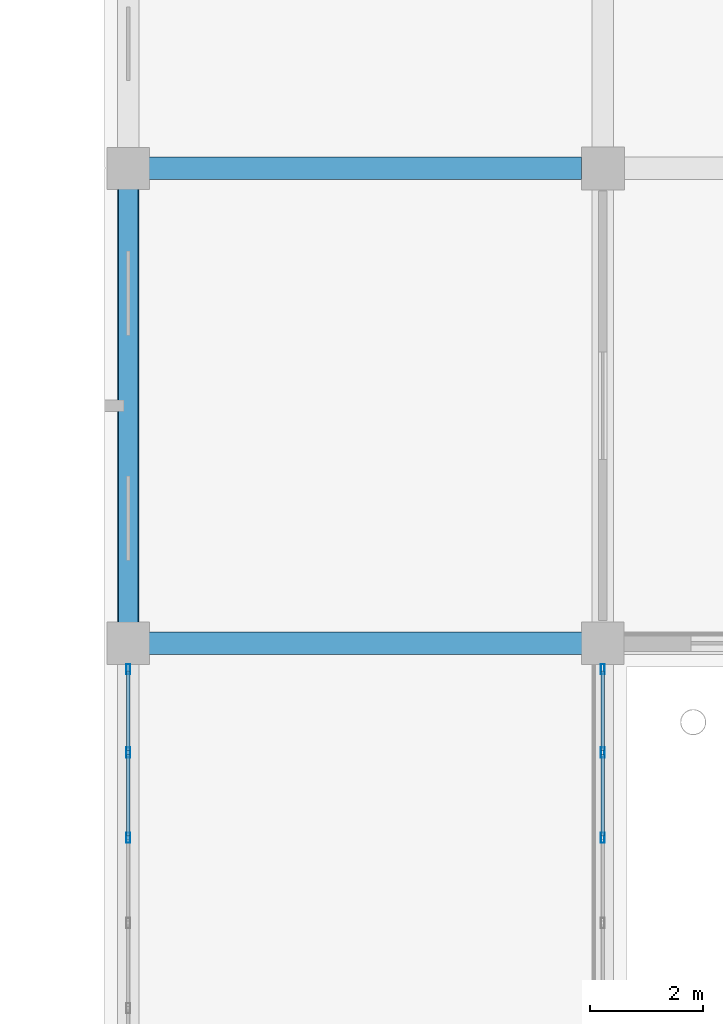
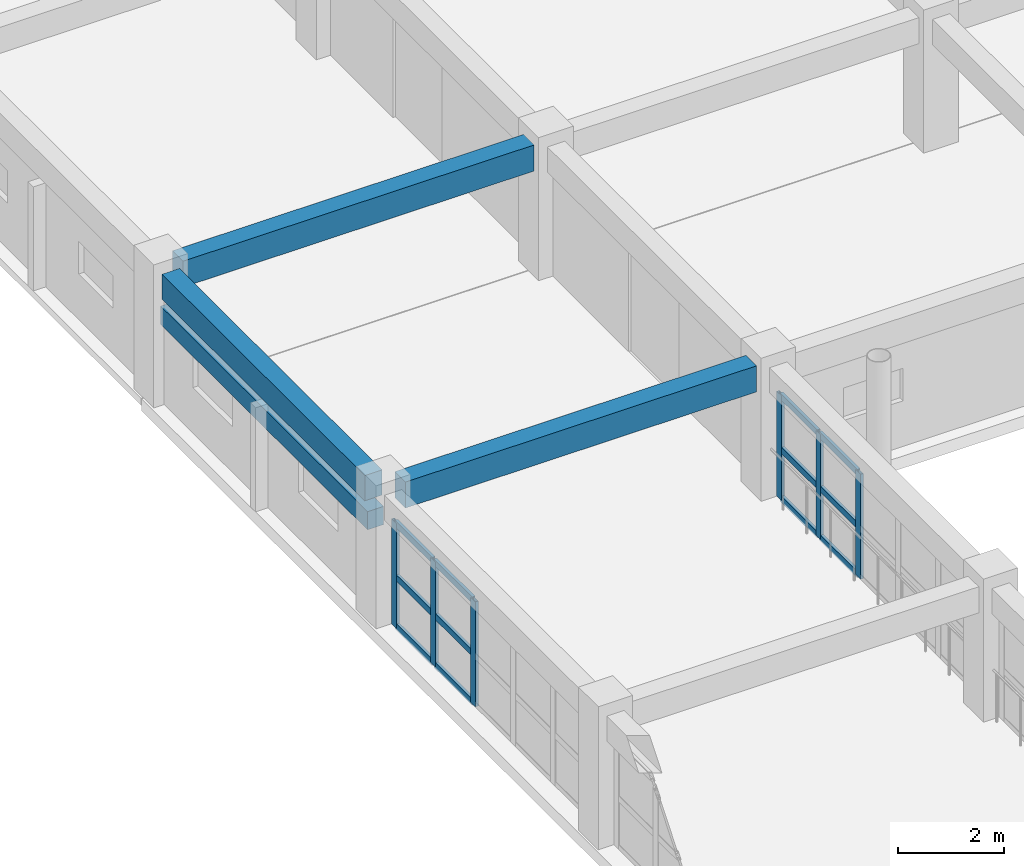
# One storey, part 141 of 200: 18 members, 4 beams, 2 elements without a shape of their own.
"""IFC4 building model written with IfcOpenShell, lengths in metres."""

from ifc_helpers import new_model, si_unit, direction, frame, origin, origin_2d, place, context, subcontext, project, spatial, rectangle, hollow_rectangle, extrude, material, layer, layer_set, material_profile, profile_set, type_object, element, aggregate, save


model = new_model("IFC4")

# Units and contexts
model_context = context("Model", 3, precision=1e-05, world=origin(), true_north=direction((0.0, 1.0)))
body_context = subcontext(model_context, "Body", "Model", "MODEL_VIEW")
ifc_project = project(units=[si_unit("LENGTHUNIT", "METRE"), si_unit("AREAUNIT", "SQUARE_METRE"), si_unit("VOLUMEUNIT", "CUBIC_METRE"), si_unit("PLANEANGLEUNIT", "RADIAN"), si_unit("MASSUNIT", "GRAM", prefix="KILO")], contexts=[model_context])

# Site, building, storey
site_placement = place(None, origin())
site = spatial("IfcSite", under=ifc_project, at=site_placement, CompositionType="ELEMENT")
building_placement = place(site_placement, origin())
building = spatial("IfcBuilding", under=site, at=building_placement, Name="Trelvath General Hospital", CompositionType="ELEMENT")
storey_placement = place(building_placement, frame((0.0, 0.0, 4.800048828125)))
storey = spatial("IfcBuildingStorey", under=building, at=storey_placement, Name="L01", CompositionType="ELEMENT", Elevation=4.800048828125)

# Beams
ifc_material_1 = material(Name="Concrete C35/45", Category="concrete")
ifc_material_profile_1 = material_profile(ifc_material_1, rectangle(XDim=0.3798828125, YDim=0.580078125, at=origin_2d()), Name="RCB380x580")
ifc_profile_set_1 = profile_set([ifc_material_profile_1], Name="Concrete C35/45")
beam_type_1 = type_object("IfcBeamType", Name="Beam RC380x580", PredefinedType="BEAM", material=ifc_profile_set_1)
beam_1_placement = place(storey_placement, frame((134.39990234375, 67.570068359375, 2.72998046875), z_axis=(0.0, 1.0, 0.0), x_axis=(-1.0, 0.0, 0.0)))
element("IfcBeam", 1, at=beam_1_placement, inside=storey, type_object=beam_type_1, Name="Grid Beam BY-116I", PredefinedType="BEAM", context=body_context, shape_type="SweptSolid", body=[
    extrude(rectangle(XDim=0.3798828125, YDim=0.580078125, at=origin_2d()), origin(), (0.0, 0.0, 1.0), 7.659912109375),
])
ifc_material_2 = material(Name="Concrete C35/45", Category="concrete")
ifc_material_profile_2 = material_profile(ifc_material_2, rectangle(XDim=0.39990234375, YDim=0.60009765625, at=origin_2d()), Name="RCB400x600")
ifc_profile_set_2 = profile_set([ifc_material_profile_2], Name="Concrete C35/45")
beam_type_2 = type_object("IfcBeamType", Name="Beam RC400x600", PredefinedType="BEAM", material=ifc_profile_set_2)
beam_2_placement = place(storey_placement, frame((134.77001953125, 67.199951171875, 2.719970703125), z_axis=(1.0, 0.0, 0.0), x_axis=(0.0, 1.0, 0.0)))
element("IfcBeam", 2, at=beam_2_placement, inside=storey, type_object=beam_type_2, Name="Grid Beam BX-116I", PredefinedType="BEAM", context=body_context, shape_type="SweptSolid", body=[
    extrude(rectangle(XDim=0.39990234375, YDim=0.60009765625, at=origin_2d()), origin(), (0.0, 0.0, 1.0), 7.659912109375),
])
beam_3_placement = place(storey_placement, frame((134.77001953125, 75.60009765625, 2.719970703125), z_axis=(1.0, 0.0, 0.0), x_axis=(0.0, 1.0, 0.0)))
element("IfcBeam", 3, at=beam_3_placement, inside=storey, type_object=beam_type_2, Name="Grid Beam BX-116J", PredefinedType="BEAM", context=body_context, shape_type="SweptSolid", body=[
    extrude(rectangle(XDim=0.39990234375, YDim=0.60009765625, at=origin_2d()), origin(), (0.0, 0.0, 1.0), 7.655029296875),
])

# Curtain wall, members
ifc_material_3 = material(Name="Anodised aluminium and low-E glass", Category="aluminium")
ifc_layer = layer(ifc_material_3, 0.179931640625)
ifc_layer_set = layer_set([ifc_layer], Name="Anodised aluminium and low-E glass")
curtain_wall_type = type_object("IfcCurtainWallType", Name="CW Facade 754 242 18", PredefinedType="USERDEFINED", material=ifc_layer_set)
curtain_wall_1_placement = place(storey_placement, origin())
curtain_wall_1 = element("IfcCurtainWall", 4, at=curtain_wall_1_placement, inside=storey, type_object=curtain_wall_type, Name="Facade Curtain Wall CW-028", ObjectType="Unitised Glazed Curtain Wall", PredefinedType="USERDEFINED")
ifc_material_4 = material(Name="Anodised aluminium", Category="aluminium")
ifc_material_profile_3 = material_profile(ifc_material_4, hollow_rectangle(XDim=0.06494140625, YDim=0.179931640625, WallThickness=0.0048828125, at=origin_2d()), Name="RHS65x180x5")
ifc_profile_set_3 = profile_set([ifc_material_profile_3], Name="Anodised aluminium")
member_type_1 = type_object("IfcMemberType", Name="CurtainMullion 65x180", PredefinedType="MULLION", material=ifc_profile_set_3)
member_1_placement = place(storey_placement, frame((134.39990234375, 63.75390625, 0.0), z_axis=(0.0, 0.0, 1.0), x_axis=(-1.0, 0.0, 0.0)))
member_1 = element("IfcMember", 5, at=member_1_placement, type_object=member_type_1, Name="CW-028 mullion 4", PredefinedType="MULLION", context=body_context, shape_type="SweptSolid", body=[
    extrude(hollow_rectangle(XDim=0.06494140625, YDim=0.179931640625, WallThickness=0.0048828125, at=origin_2d()), origin(), (0.0, 0.0, 1.0), 2.419921875),
])
member_2_placement = place(storey_placement, frame((134.39990234375, 65.261962890625, 0.0), z_axis=(0.0, 0.0, 1.0), x_axis=(-1.0, 0.0, 0.0)))
member_2 = element("IfcMember", 6, at=member_2_placement, type_object=member_type_1, Name="CW-028 mullion 5", PredefinedType="MULLION", context=body_context, shape_type="SweptSolid", body=[
    extrude(hollow_rectangle(XDim=0.06494140625, YDim=0.179931640625, WallThickness=0.0048828125, at=origin_2d()), origin(), (0.0, 0.0, 1.0), 2.419921875),
])
member_3_placement = place(storey_placement, frame((134.39990234375, 66.737548828125, 0.0), z_axis=(0.0, 0.0, 1.0), x_axis=(-1.0, 0.0, 0.0)))
member_3 = element("IfcMember", 7, at=member_3_placement, type_object=member_type_1, Name="CW-028 mullion 6", PredefinedType="MULLION", context=body_context, shape_type="SweptSolid", body=[
    extrude(hollow_rectangle(XDim=0.06494140625, YDim=0.179931640625, WallThickness=0.0048828125, at=origin_2d()), origin(), (0.0, 0.0, 1.0), 2.419921875),
])

curtain_wall_2_placement = place(storey_placement, origin())
curtain_wall_2 = element("IfcCurtainWall", 8, at=curtain_wall_2_placement, inside=storey, type_object=curtain_wall_type, Name="Facade Curtain Wall CW-029", ObjectType="Unitised Glazed Curtain Wall", PredefinedType="USERDEFINED")
member_4_placement = place(storey_placement, frame((142.800048828125, 66.737548828125, 0.0), z_axis=(0.0, 0.0, 1.0), x_axis=(1.0, 0.0, 0.0)))
member_4 = element("IfcMember", 9, at=member_4_placement, type_object=member_type_1, Name="CW-029 mullion 1", PredefinedType="MULLION", context=body_context, shape_type="SweptSolid", body=[
    extrude(hollow_rectangle(XDim=0.06494140625, YDim=0.179931640625, WallThickness=0.0048828125, at=origin_2d()), origin(), (0.0, 0.0, 1.0), 2.419921875),
])
member_5_placement = place(storey_placement, frame((142.800048828125, 65.261962890625, 0.0), z_axis=(0.0, 0.0, 1.0), x_axis=(1.0, 0.0, 0.0)))
member_5 = element("IfcMember", 10, at=member_5_placement, type_object=member_type_1, Name="CW-029 mullion 2", PredefinedType="MULLION", context=body_context, shape_type="SweptSolid", body=[
    extrude(hollow_rectangle(XDim=0.06494140625, YDim=0.179931640625, WallThickness=0.0048828125, at=origin_2d()), origin(), (0.0, 0.0, 1.0), 2.419921875),
])
member_6_placement = place(storey_placement, frame((142.800048828125, 63.75390625, 0.0), z_axis=(0.0, 0.0, 1.0), x_axis=(1.0, 0.0, 0.0)))
member_6 = element("IfcMember", 11, at=member_6_placement, type_object=member_type_1, Name="CW-029 mullion 3", PredefinedType="MULLION", context=body_context, shape_type="SweptSolid", body=[
    extrude(hollow_rectangle(XDim=0.06494140625, YDim=0.179931640625, WallThickness=0.0048828125, at=origin_2d()), origin(), (0.0, 0.0, 1.0), 2.419921875),
])

# Member
ifc_material_5 = material(Name="Anodised aluminium", Category="aluminium")
ifc_material_profile_4 = material_profile(ifc_material_5, hollow_rectangle(XDim=0.06494140625, YDim=0.14501953125, WallThickness=0.00390625, at=origin_2d()), Name="RHS65x145x4")
ifc_profile_set_4 = profile_set([ifc_material_profile_4], Name="Anodised aluminium")
member_type_2 = type_object("IfcMemberType", Name="CurtainTransom 65x145", PredefinedType="USERDEFINED", material=ifc_profile_set_4)
member_7_placement = place(storey_placement, frame((134.39990234375, 63.78662109375, 0.032470703125), z_axis=(0.0, 1.0, 0.0), x_axis=(-1.0, 0.0, 0.0)))
member_7 = element("IfcMember", 12, at=member_7_placement, type_object=member_type_2, Name="CW-028 transom 4.1", ObjectType="TRANSOM", PredefinedType="USERDEFINED", context=body_context, shape_type="SweptSolid", body=[
    extrude(hollow_rectangle(XDim=0.06494140625, YDim=0.14501953125, WallThickness=0.00390625, at=origin_2d()), origin(), (0.0, 0.0, 1.0), 1.44287109375),
])

member_8_placement = place(storey_placement, frame((134.39990234375, 63.78662109375, 1.161865234375), z_axis=(0.0, 1.0, 0.0), x_axis=(-1.0, 0.0, 0.0)))
member_8 = element("IfcMember", 13, at=member_8_placement, type_object=member_type_2, Name="CW-028 transom 4.2", ObjectType="TRANSOM", PredefinedType="USERDEFINED", context=body_context, shape_type="SweptSolid", body=[
    extrude(hollow_rectangle(XDim=0.06494140625, YDim=0.14501953125, WallThickness=0.00390625, at=origin_2d()), origin(), (0.0, 0.0, 1.0), 1.44287109375),
])

member_9_placement = place(storey_placement, frame((134.39990234375, 63.78662109375, 2.387451171875), z_axis=(0.0, 1.0, 0.0), x_axis=(-1.0, 0.0, 0.0)))
member_9 = element("IfcMember", 14, at=member_9_placement, type_object=member_type_2, Name="CW-028 transom 4.3", ObjectType="TRANSOM", PredefinedType="USERDEFINED", context=body_context, shape_type="SweptSolid", body=[
    extrude(hollow_rectangle(XDim=0.06494140625, YDim=0.14501953125, WallThickness=0.00390625, at=origin_2d()), origin(), (0.0, 0.0, 1.0), 1.44287109375),
])

member_10_placement = place(storey_placement, frame((134.39990234375, 65.29443359375, 0.032470703125), z_axis=(0.0, 1.0, 0.0), x_axis=(-1.0, 0.0, 0.0)))
member_10 = element("IfcMember", 15, at=member_10_placement, type_object=member_type_2, Name="CW-028 transom 5.1", ObjectType="TRANSOM", PredefinedType="USERDEFINED", context=body_context, shape_type="SweptSolid", body=[
    extrude(hollow_rectangle(XDim=0.06494140625, YDim=0.14501953125, WallThickness=0.00390625, at=origin_2d()), origin(), (0.0, 0.0, 1.0), 1.41064453125),
])

member_11_placement = place(storey_placement, frame((134.39990234375, 65.29443359375, 1.161865234375), z_axis=(0.0, 1.0, 0.0), x_axis=(-1.0, 0.0, 0.0)))
member_11 = element("IfcMember", 16, at=member_11_placement, type_object=member_type_2, Name="CW-028 transom 5.2", ObjectType="TRANSOM", PredefinedType="USERDEFINED", context=body_context, shape_type="SweptSolid", body=[
    extrude(hollow_rectangle(XDim=0.06494140625, YDim=0.14501953125, WallThickness=0.00390625, at=origin_2d()), origin(), (0.0, 0.0, 1.0), 1.41064453125),
])

member_12_placement = place(storey_placement, frame((134.39990234375, 65.29443359375, 2.387451171875), z_axis=(0.0, 1.0, 0.0), x_axis=(-1.0, 0.0, 0.0)))
member_12 = element("IfcMember", 17, at=member_12_placement, type_object=member_type_2, Name="CW-028 transom 5.3", ObjectType="TRANSOM", PredefinedType="USERDEFINED", context=body_context, shape_type="SweptSolid", body=[
    extrude(hollow_rectangle(XDim=0.06494140625, YDim=0.14501953125, WallThickness=0.00390625, at=origin_2d()), origin(), (0.0, 0.0, 1.0), 1.41064453125),
])

aggregate(curtain_wall_1, [member_1, member_2, member_3, member_7, member_8, member_9, member_10, member_11, member_12])

member_13_placement = place(storey_placement, frame((142.800048828125, 66.705078125, 0.032470703125), z_axis=(0.0, -1.0, 0.0), x_axis=(1.0, 0.0, 0.0)))
member_13 = element("IfcMember", 18, at=member_13_placement, type_object=member_type_2, Name="CW-029 transom 1.1", ObjectType="TRANSOM", PredefinedType="USERDEFINED", context=body_context, shape_type="SweptSolid", body=[
    extrude(hollow_rectangle(XDim=0.06494140625, YDim=0.14501953125, WallThickness=0.00390625, at=origin_2d()), origin(), (0.0, 0.0, 1.0), 1.41064453125),
])

member_14_placement = place(storey_placement, frame((142.800048828125, 66.705078125, 1.161865234375), z_axis=(0.0, -1.0, 0.0), x_axis=(1.0, 0.0, 0.0)))
member_14 = element("IfcMember", 19, at=member_14_placement, type_object=member_type_2, Name="CW-029 transom 1.2", ObjectType="TRANSOM", PredefinedType="USERDEFINED", context=body_context, shape_type="SweptSolid", body=[
    extrude(hollow_rectangle(XDim=0.06494140625, YDim=0.14501953125, WallThickness=0.00390625, at=origin_2d()), origin(), (0.0, 0.0, 1.0), 1.41064453125),
])

member_15_placement = place(storey_placement, frame((142.800048828125, 66.705078125, 2.387451171875), z_axis=(0.0, -1.0, 0.0), x_axis=(1.0, 0.0, 0.0)))
member_15 = element("IfcMember", 20, at=member_15_placement, type_object=member_type_2, Name="CW-029 transom 1.3", ObjectType="TRANSOM", PredefinedType="USERDEFINED", context=body_context, shape_type="SweptSolid", body=[
    extrude(hollow_rectangle(XDim=0.06494140625, YDim=0.14501953125, WallThickness=0.00390625, at=origin_2d()), origin(), (0.0, 0.0, 1.0), 1.41064453125),
])

member_16_placement = place(storey_placement, frame((142.800048828125, 65.2294921875, 0.032470703125), z_axis=(0.0, -1.0, 0.0), x_axis=(1.0, 0.0, 0.0)))
member_16 = element("IfcMember", 21, at=member_16_placement, type_object=member_type_2, Name="CW-029 transom 2.1", ObjectType="TRANSOM", PredefinedType="USERDEFINED", context=body_context, shape_type="SweptSolid", body=[
    extrude(hollow_rectangle(XDim=0.06494140625, YDim=0.14501953125, WallThickness=0.00390625, at=origin_2d()), origin(), (0.0, 0.0, 1.0), 1.44287109375),
])

member_17_placement = place(storey_placement, frame((142.800048828125, 65.2294921875, 1.161865234375), z_axis=(0.0, -1.0, 0.0), x_axis=(1.0, 0.0, 0.0)))
member_17 = element("IfcMember", 22, at=member_17_placement, type_object=member_type_2, Name="CW-029 transom 2.2", ObjectType="TRANSOM", PredefinedType="USERDEFINED", context=body_context, shape_type="SweptSolid", body=[
    extrude(hollow_rectangle(XDim=0.06494140625, YDim=0.14501953125, WallThickness=0.00390625, at=origin_2d()), origin(), (0.0, 0.0, 1.0), 1.44287109375),
])

member_18_placement = place(storey_placement, frame((142.800048828125, 65.2294921875, 2.387451171875), z_axis=(0.0, -1.0, 0.0), x_axis=(1.0, 0.0, 0.0)))
member_18 = element("IfcMember", 23, at=member_18_placement, type_object=member_type_2, Name="CW-029 transom 2.3", ObjectType="TRANSOM", PredefinedType="USERDEFINED", context=body_context, shape_type="SweptSolid", body=[
    extrude(hollow_rectangle(XDim=0.06494140625, YDim=0.14501953125, WallThickness=0.00390625, at=origin_2d()), origin(), (0.0, 0.0, 1.0), 1.44287109375),
])

aggregate(curtain_wall_2, [member_4, member_5, member_6, member_13, member_14, member_15, member_16, member_17, member_18])

# Beam
ifc_material_6 = material(Name="Precast concrete C40/50", Category="concrete")
ifc_material_profile_5 = material_profile(ifc_material_6, rectangle(XDim=0.35009765625, YDim=0.419921875, at=origin_2d()), Name="PCL350x420")
ifc_profile_set_5 = profile_set([ifc_material_profile_5], Name="Precast concrete C40/50")
beam_type_3 = type_object("IfcBeamType", Name="Lintel PC350x420", PredefinedType="LINTEL", material=ifc_profile_set_5)
beam_4_placement = place(storey_placement, frame((134.39990234375, 67.489990234375, 2.02001953125), z_axis=(0.0, 1.0, 0.0), x_axis=(-1.0, 0.0, 0.0)))
element("IfcBeam", 24, at=beam_4_placement, inside=storey, type_object=beam_type_3, Name="Precast Window Brow Lintel L01-191", PredefinedType="LINTEL", context=body_context, shape_type="SweptSolid", body=[
    extrude(rectangle(XDim=0.35009765625, YDim=0.419921875, at=origin_2d()), origin(), (0.0, 0.0, 1.0), 7.820068359375),
])

save(model, "model.ifc")
